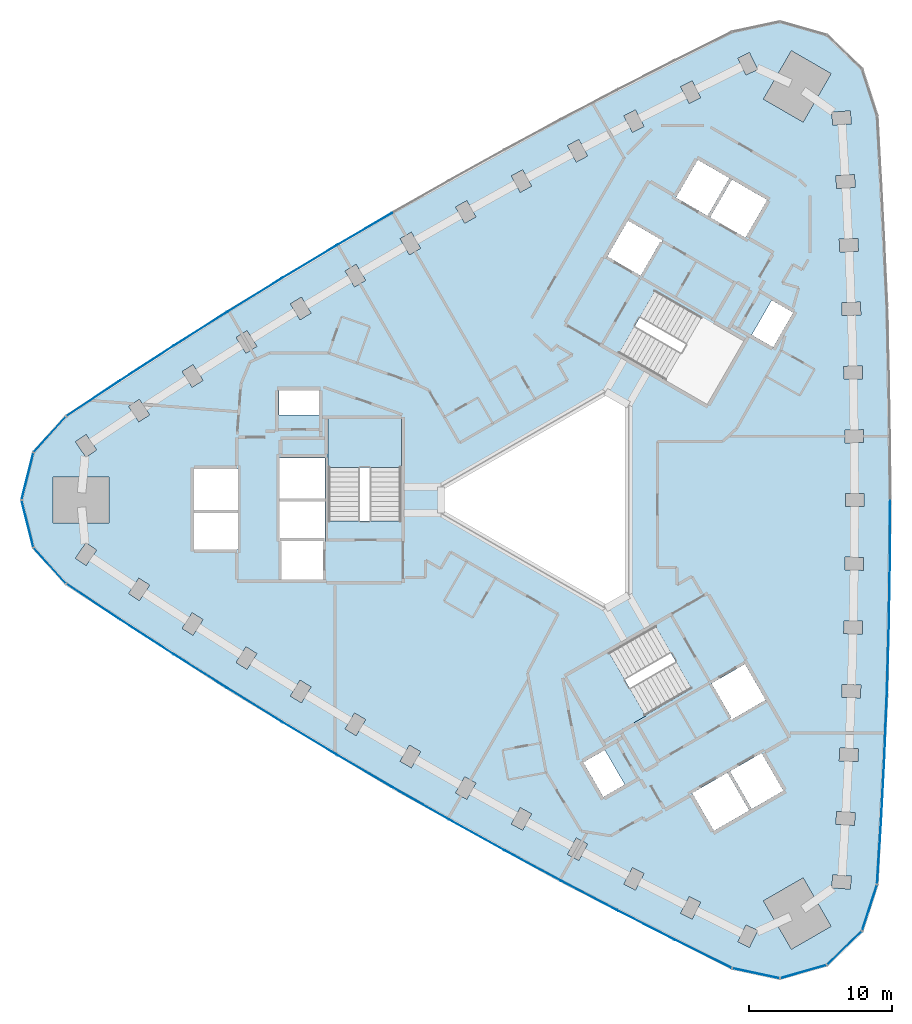
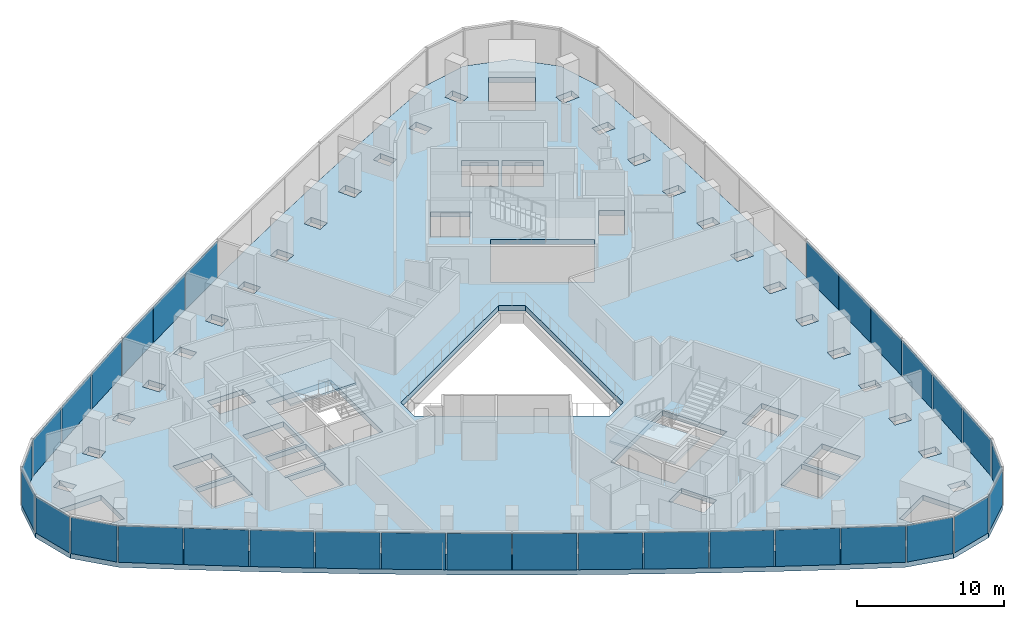
# One storey, part 6 of 12: 32 plates, 3 slabs, 5 elements without a shape of their own.
"""IFC4 building model written with IfcOpenShell, lengths in metres."""

import ifcopenshell
import ifcopenshell.guid

model = None  # the IFC model being written
_history = None  # IfcOwnerHistory: only IFC2X3 demands one
_inside = {}  # id of a spatial element -> (the spatial element, [elements in it])
_under = {}  # id of a project, library or spatial element -> (it, [spatial elements below it])
_declared = {}  # id of a project -> (the project, [libraries it declares])
_typed = {}  # id of a type object -> (the type object, [elements of that type])
_made_of = {}  # id of a material, layer set ... -> (it, [elements and type objects made of it])


def new_model(schema):
    """Start an empty IFC model of exactly this schema.

    Asked for "IFC4X3", IfcOpenShell would pick the latest addendum, in which some entities
    have other attributes; the version numbers below select the first issue.
    IFC2X3 requires an IfcOwnerHistory on every rooted entity: one is made here for all.
    """
    global model, _history
    if schema == "IFC4X3":
        model = ifcopenshell.file(schema_version=(4, 3, 0, 0))
    else:
        model = ifcopenshell.file(schema=schema)
    _inside.clear()
    _under.clear()
    _declared.clear()
    _typed.clear()
    _made_of.clear()
    _history = None
    if model.schema == "IFC2X3":
        org = make("IfcOrganization", Name="unknown")
        user = make(
            "IfcPersonAndOrganization",
            ThePerson=make("IfcPerson", FamilyName="unknown"),
            TheOrganization=org,
        )
        app = make(
            "IfcApplication",
            ApplicationDeveloper=org,
            Version="unknown",
            ApplicationFullName="unknown",
            ApplicationIdentifier="unknown",
        )
        _history = make(
            "IfcOwnerHistory",
            OwningUser=user,
            OwningApplication=app,
            ChangeAction="ADDED",
            CreationDate=0,
        )
    return model


def make(cls, **values):
    """One entity of the class cls with the attributes given. An attribute that is None is left unset."""
    return model.create_entity(
        cls, **{name: value for name, value in values.items() if value is not None}
    )


def rooted(cls, **values):
    """An entity with a GlobalId (a new one), such as an element, a storey or a relation."""
    return make(cls, GlobalId=ifcopenshell.guid.new(), OwnerHistory=_history, **values)


def si_unit(unit_type, name, prefix=None):
    """IfcSIUnit, for example si_unit("LENGTHUNIT", "METRE", prefix="MILLI")."""
    return make("IfcSIUnit", UnitType=unit_type, Prefix=prefix, Name=name)


def assignment(units):
    """IfcUnitAssignment: the units of a project."""
    return None if units is None else make("IfcUnitAssignment", Units=units)


def point(xyz):
    """IfcCartesianPoint."""
    return None if xyz is None else make("IfcCartesianPoint", Coordinates=xyz)


def direction(xyz):
    """IfcDirection."""
    return None if xyz is None else make("IfcDirection", DirectionRatios=xyz)


def frame(location, z_axis=None, x_axis=None):
    """IfcAxis2Placement3D, a coordinate frame: its origin and axes. An axis left out is left unset."""
    return make(
        "IfcAxis2Placement3D",
        Location=point(location),
        Axis=direction(z_axis),
        RefDirection=direction(x_axis),
    )


def frame_2d(location, x_axis=None):
    """IfcAxis2Placement2D, a coordinate frame in the plane: its origin and x axis."""
    return make(
        "IfcAxis2Placement2D", Location=point(location), RefDirection=direction(x_axis)
    )


def origin():
    """The frame at (0, 0, 0) with its axes left unset."""
    return frame((0.0, 0.0, 0.0))


def origin_2d():
    """The frame at (0, 0) in the plane with its x axis left unset."""
    return frame_2d((0.0, 0.0))


def place(relative_to, where):
    """IfcLocalPlacement: puts the frame where relative to a parent placement (None: the world)."""
    return make(
        "IfcLocalPlacement", PlacementRelTo=relative_to, RelativePlacement=where
    )


def context(
    kind, dimensions, precision=None, world=None, true_north=None, identifier=None
):
    """IfcGeometricRepresentationContext, for example the 3D "Model" context."""
    return make(
        "IfcGeometricRepresentationContext",
        ContextIdentifier=identifier,
        ContextType=kind,
        CoordinateSpaceDimension=dimensions,
        Precision=precision,
        WorldCoordinateSystem=world,
        TrueNorth=true_north,
    )


def subcontext(parent, identifier, kind, view, scale=None):
    """IfcGeometricRepresentationSubContext, for example "Body" below "Model"."""
    return make(
        "IfcGeometricRepresentationSubContext",
        ContextIdentifier=identifier,
        ContextType=kind,
        ParentContext=parent,
        TargetScale=scale,
        TargetView=view,
    )


def project(units=None, contexts=None):
    """IfcProject with its units and contexts."""
    return rooted(
        "IfcProject",
        Name="project",
        RepresentationContexts=contexts,
        UnitsInContext=assignment(units),
    )


def spatial(cls, under=None, at=None, **own):
    """A site, building, storey or space (cls), placed at a placement, below another one or the project."""
    s = rooted(cls, ObjectPlacement=at, **own)
    if under is not None:
        _under.setdefault(under.id(), (under, []))[1].append(s)
    return s


def polyline(points):
    """IfcPolyline through the points."""
    return make("IfcPolyline", Points=[point(p) for p in points])


def profile(cls, at=None, kind="AREA", **sizes):
    """A parametric profile (cls). Its sizes go by their IFC names, for example OverallWidth=200.0."""
    return make(cls, ProfileType=kind, Position=at, **sizes)


def rectangle(**sizes):
    """IfcRectangleProfileDef."""
    return profile("IfcRectangleProfileDef", **sizes)


def outline(outer, holes=None, kind="AREA"):
    """IfcArbitraryClosedProfileDef: a profile drawn as a closed curve; with holes, ...WithVoids."""
    if holes is None:
        return make("IfcArbitraryClosedProfileDef", ProfileType=kind, OuterCurve=outer)
    return make(
        "IfcArbitraryProfileDefWithVoids",
        ProfileType=kind,
        OuterCurve=outer,
        InnerCurves=holes,
    )


def extrude(swept, where, along, depth):
    """IfcExtrudedAreaSolid: the profile swept, set in the frame where, extruded along a direction by depth."""
    return make(
        "IfcExtrudedAreaSolid",
        SweptArea=swept,
        Position=where,
        ExtrudedDirection=direction(along),
        Depth=depth,
    )


def shape(context_of_items, identifier, shape_type, items):
    """IfcShapeRepresentation: the items that make up one representation, for example the "Body"."""
    return make(
        "IfcShapeRepresentation",
        ContextOfItems=context_of_items,
        RepresentationIdentifier=identifier,
        RepresentationType=shape_type,
        Items=items,
    )


def material(Name=None, Category=None):
    """IfcMaterial."""
    return make("IfcMaterial", Name=Name, Category=Category)


def layer(
    of_material, thickness, ventilated=None, Name=None, Category=None, Priority=None
):
    """IfcMaterialLayer: one layer of a wall or slab, of a material (None: an air gap)."""
    return make(
        "IfcMaterialLayer",
        Material=of_material,
        LayerThickness=thickness,
        IsVentilated=ventilated,
        Name=Name,
        Category=Category,
        Priority=Priority,
    )


def layer_set(layers, Name=None):
    """IfcMaterialLayerSet."""
    return make("IfcMaterialLayerSet", MaterialLayers=layers, LayerSetName=Name)


def made_of(thing, what):
    """Note that an element or type object is made of a material, layer set ...; save() writes the relation."""
    if what is not None:
        _made_of.setdefault(what.id(), (what, []))[1].append(thing)
    return thing


def type_object(cls, material=None, **own):
    """A type object (cls), such as IfcWallType, which elements share."""
    return made_of(rooted(cls, **own), material)


def element(
    cls,
    number,
    at=None,
    inside=None,
    cuts=None,
    type_object=None,
    material=None,
    context=None,
    identifier="Body",
    shape_type=None,
    held_by="IfcProductDefinitionShape",
    body=None,
    shapes=None,
    **own,
):
    """One element of the class cls, such as IfcWall. Its Tag is "e" and its number.

    at: its placement. inside: the storey or other place that contains it. cuts: it is an
    opening in that element (IfcRelVoidsElement). A single representation is given by context,
    identifier, shape_type and body (its items); several are given by shapes. held_by: the class
    of the entity that holds the representations. save() writes the other relations.
    """
    e = rooted(cls, Tag="e%d" % number, ObjectPlacement=at, **own)
    if body is not None:
        shapes = [shape(context, identifier, shape_type, body)]
    if shapes is not None:
        e.Representation = make(held_by, Representations=shapes)
    if inside is not None:
        _inside.setdefault(inside.id(), (inside, []))[1].append(e)
    if cuts is not None:
        rooted(
            "IfcRelVoidsElement", RelatingBuildingElement=cuts, RelatedOpeningElement=e
        )
    if type_object is not None:
        _typed.setdefault(type_object.id(), (type_object, []))[1].append(e)
    return made_of(e, material)


def aggregate(whole, parts):
    """IfcRelAggregates: a whole, such as a stair, and the parts it consists of."""
    return rooted("IfcRelAggregates", RelatingObject=whole, RelatedObjects=parts)


def save(model, path):
    """Write the relations noted so far, then the file.

    IfcRelAggregates (storeys below a building ...), IfcRelContainedInSpatialStructure (elements
    in a storey), IfcRelDefinesByType, IfcRelAssociatesMaterial and IfcRelDeclares: one each for
    every whole, place, type object, material and project.
    """
    for whole, parts in _under.values():
        aggregate(whole, parts)
    for where, things in _inside.values():
        rooted(
            "IfcRelContainedInSpatialStructure",
            RelatedElements=things,
            RelatingStructure=where,
        )
    for kind, things in _typed.values():
        rooted("IfcRelDefinesByType", RelatedObjects=things, RelatingType=kind)
    for what, things in _made_of.values():
        rooted("IfcRelAssociatesMaterial", RelatedObjects=things, RelatingMaterial=what)
    for by, libraries in _declared.values():
        rooted("IfcRelDeclares", RelatingContext=by, RelatedDefinitions=libraries)
    model.write(path)


model = new_model("IFC4")

# Units and contexts
model_context = context("Model", 3, precision=1e-05, world=origin(), true_north=direction((0.0, 1.0)))
body_context = subcontext(model_context, "Body", "Model", "MODEL_VIEW")
ifc_project = project(units=[si_unit("LENGTHUNIT", "METRE"), si_unit("AREAUNIT", "SQUARE_METRE"), si_unit("VOLUMEUNIT", "CUBIC_METRE"), si_unit("PLANEANGLEUNIT", "RADIAN"), si_unit("MASSUNIT", "GRAM", prefix="KILO")], contexts=[model_context])

# Site, building, storey
site_placement = place(None, origin())
site = spatial("IfcSite", under=ifc_project, at=site_placement, CompositionType="ELEMENT")
building_placement = place(site_placement, origin())
building = spatial("IfcBuilding", under=site, at=building_placement, Name="Tamra Quay Hotel Tower", CompositionType="ELEMENT")
storey_placement = place(building_placement, frame((0.0, 0.0, 104.60009765625)))
storey = spatial("IfcBuildingStorey", under=building, at=storey_placement, Name="L25", CompositionType="ELEMENT", Elevation=104.60009765625)

# Stair, slab
ifc_material_1 = material(Name="Exit stair 2200 24 risers 150.0 going 342")
stair_type = type_object("IfcStairType", Name="Exit stair 2200 24 risers 150.0 going 342", PredefinedType="HALF_TURN_STAIR", material=ifc_material_1)
stair_1_placement = place(storey_placement, origin())
stair_1 = element("IfcStair", 1, at=stair_1_placement, inside=storey, type_object=stair_type, Name="L25 Exit stair ST3", PredefinedType="HALF_TURN_STAIR")
ifc_material_2 = material(Name="Concrete M70", Category="concrete")
ifc_layer_1 = layer(ifc_material_2, 0.175048828125)
ifc_layer_set_1 = layer_set([ifc_layer_1], Name="Concrete M70 stair landing 180")
slab_type_1 = type_object("IfcSlabType", Name="Concrete M70 stair landing 180", PredefinedType="LANDING", material=ifc_layer_set_1)
slab_1_placement = place(storey_placement, frame((0.0, 0.0, 1.625)))
slab_1 = element("IfcSlab", 2, at=slab_1_placement, type_object=slab_type_1, Name="ST3 landing 1", PredefinedType="LANDING", context=body_context, shape_type="SweptSolid", body=[
    extrude(outline(polyline([(-10.932373046875, 2.261962890625), (-10.932373046875, 5.679931640625), (-16.09130859375, 5.679931640625), (-16.09130859375, 2.261962890625), (-10.932373046875, 2.261962890625)])), origin(), (0.0, 0.0, 1.0), 0.1748046875),
])
aggregate(stair_1, [slab_1])

stair_2_placement = place(storey_placement, origin())
stair_2 = element("IfcStair", 3, at=stair_2_placement, inside=storey, type_object=stair_type, Name="L25 Exit stair ST2", PredefinedType="HALF_TURN_STAIR")
slab_2_placement = place(storey_placement, frame((0.0, 0.0, 1.625)))
slab_2 = element("IfcSlab", 4, at=slab_2_placement, type_object=slab_type_1, Name="ST2 landing 1", PredefinedType="LANDING", context=body_context, shape_type="SweptSolid", body=[
    extrude(outline(polyline([(3.50732421875, -10.5986328125), (0.547119140625, -12.3076171875), (3.126708984375, -16.775390625), (6.086669921875, -15.06640625), (3.50732421875, -10.5986328125)])), origin(), (0.0, 0.0, 1.0), 0.1748046875),
])
aggregate(stair_2, [slab_2])

# Slab
ifc_material_3 = material(Name="Concrete M60", Category="concrete")
ifc_layer_2 = layer(ifc_material_3, 0.425048828125)
ifc_layer_set_2 = layer_set([ifc_layer_2], Name="FLOOR SLAB PT 425")
slab_type_2 = type_object("IfcSlabType", Name="FLOOR SLAB PT 425", PredefinedType="FLOOR", material=ifc_layer_set_2)
slab_3_placement = place(storey_placement, frame((0.0, 0.0, -0.425048828125)))
element("IfcSlab", 5, at=slab_3_placement, inside=storey, type_object=slab_type_2, Name="SLAB-L25", PredefinedType="FLOOR", context=body_context, shape_type="SweptSolid", body=[
    extrude(outline(polyline([(22.506591796875, 22.354248046875), (22.736083984375, 17.886962890625), (22.914794921875, 13.417236328125), (23.04248046875, 8.94580078125), (23.119140625, 4.47314453125), (23.144775390625, 0.0), (23.119140625, -4.47314453125), (23.04248046875, -8.94580078125), (22.914794921875, -13.417236328125), (22.736083984375, -17.886962890625), (22.506591796875, -22.354248046875), (22.226318359375, -26.81787109375), (21.1767578125, -30.062255859375), (18.724609375, -32.43212890625), (15.4462890625, -33.370849609375), (12.11181640625, -32.657470703125), (8.10595703125, -30.66845703125), (4.122314453125, -28.633544921875), (0.162109375, -26.553466796875), (-3.77392578125, -24.42822265625), (-7.685791015625, -22.25830078125), (-11.572509765625, -20.0439453125), (-15.43359375, -17.78515625), (-19.2685546875, -15.482666015625), (-23.0771484375, -13.13623046875), (-26.858642578125, -10.74658203125), (-30.612548828125, -8.314208984375), (-34.337890625, -5.839599609375), (-36.623046875, -3.308349609375), (-37.449462890625, 0.0), (-36.623046875, 3.308349609375), (-34.337890625, 5.839599609375), (-30.612548828125, 8.314208984375), (-26.858642578125, 10.74658203125), (-23.0771484375, 13.13623046875), (-19.2685546875, 15.482666015625), (-15.43359375, 17.78515625), (-11.572509765625, 20.0439453125), (-7.685791015625, 22.25830078125), (-3.77392578125, 24.42822265625), (0.162109375, 26.553466796875), (4.122314453125, 28.633544921875), (8.10595703125, 30.66845703125), (12.11181640625, 32.657470703125), (15.4462890625, 33.370849609375), (18.724609375, 32.43212890625), (21.1767578125, 30.062255859375), (22.226318359375, 26.81787109375), (22.506591796875, 22.354248046875)]), holes=[polyline([(-14.884521484375, -15.9765625), (-14.1103515625, -16.435302734375), (-13.447509765625, -15.317138671875), (-14.2216796875, -14.858154296875), (-14.884521484375, -15.9765625)]), polyline([(-18.0234375, -12.569580078125), (-18.698974609375, -13.680419921875), (-17.929931640625, -14.14794921875), (-17.25439453125, -13.037353515625), (-18.0234375, -12.569580078125)]), polyline([(-21.798583984375, -10.23779296875), (-22.487060546875, -11.340576171875), (-21.723388671875, -11.817138671875), (-21.03515625, -10.714111328125), (-21.798583984375, -10.23779296875)]), polyline([(-25.547119140625, -7.86279296875), (-26.248046875, -8.9580078125), (-25.489990234375, -9.443115234375), (-24.789306640625, -8.34814453125), (-25.547119140625, -7.86279296875)]), polyline([(-29.268310546875, -5.445556640625), (-29.981689453125, -6.532470703125), (-29.229248046875, -7.026123046875), (-28.51611328125, -5.939453125), (-29.268310546875, -5.445556640625)]), polyline([(-16.3173828125, -2.85498046875), (-19.4072265625, -2.85498046875), (-19.4072265625, -2.89306640625), (-19.307373046875, -2.89306640625), (-19.307373046875, -5.544921875), (-16.417236328125, -5.544921875), (-16.417236328125, -2.89306640625), (-16.3173828125, -2.89306640625), (-16.3173828125, -2.85498046875)]), polyline([(-32.96240234375, -2.986083984375), (-33.6875, -4.06494140625), (-32.9404296875, -4.56689453125), (-32.215576171875, -3.488037109375), (-32.96240234375, -2.986083984375)]), polyline([(-22.3671875, -3.445068359375), (-22.3671875, -0.905029296875), (-25.4072265625, -0.905029296875), (-25.4072265625, -3.445068359375), (-22.3671875, -3.445068359375)]), polyline([(-19.417236328125, -2.89306640625), (-19.417236328125, -2.64501953125), (-16.307373046875, -2.64501953125), (-16.307373046875, -2.89306640625), (-16.26708984375, -2.89306640625), (-16.26708984375, -0.10498046875), (-19.45751953125, -0.10498046875), (-19.45751953125, -2.89306640625), (-19.417236328125, -2.89306640625)]), polyline([(-31.36376953125, 1.60009765625), (-35.263671875, 1.60009765625), (-35.263671875, -1.60009765625), (-31.36376953125, -1.60009765625), (-31.36376953125, 1.60009765625)]), polyline([(-25.4072265625, -0.695068359375), (-22.3671875, -0.695068359375), (-22.3671875, 2.14501953125), (-25.4072265625, 2.14501953125), (-25.4072265625, -0.695068359375)]), polyline([(-19.45751953125, 0.10498046875), (-16.26708984375, 0.10498046875), (-16.26708984375, 2.945068359375), (-19.45751953125, 2.945068359375), (-19.45751953125, 0.10498046875)]), polyline([(-16.036376953125, -1.455078125), (-10.9873046875, -1.455078125), (-10.9873046875, 5.625), (-16.036376953125, 5.625), (-16.036376953125, -1.455078125)]), polyline([(-32.215576171875, 3.488037109375), (-32.9404296875, 4.56689453125), (-33.6875, 4.06494140625), (-32.96240234375, 2.986083984375), (-32.215576171875, 3.488037109375)]), polyline([(-28.51611328125, 5.939453125), (-29.229248046875, 7.026123046875), (-29.981689453125, 6.532470703125), (-29.268310546875, 5.445556640625), (-28.51611328125, 5.939453125)]), polyline([(-19.50732421875, 7.64501953125), (-19.50732421875, 5.9150390625), (-16.71728515625, 5.9150390625), (-16.71728515625, 7.64501953125), (-19.50732421875, 7.64501953125)]), polyline([(-24.789306640625, 8.34814453125), (-25.489990234375, 9.443115234375), (-26.248046875, 8.9580078125), (-25.547119140625, 7.86279296875), (-24.789306640625, 8.34814453125)]), polyline([(-21.03515625, 10.714111328125), (-21.723388671875, 11.817138671875), (-22.487060546875, 11.340576171875), (-21.798583984375, 10.23779296875), (-21.03515625, 10.714111328125)]), polyline([(-17.25439453125, 13.037353515625), (-17.929931640625, 14.14794921875), (-18.698974609375, 13.680419921875), (-18.0234375, 12.569580078125), (-17.25439453125, 13.037353515625)]), polyline([(-13.447509765625, 15.317138671875), (-14.1103515625, 16.435302734375), (-14.884521484375, 15.9765625), (-14.2216796875, 14.858154296875), (-13.447509765625, 15.317138671875)]), polyline([(9.1142578125, -27.665283203125), (8.52978515625, -28.826416015625), (9.33349609375, -29.231201171875), (9.918212890625, -28.070068359375), (9.1142578125, -27.665283203125)]), polyline([(5.164794921875, -25.64208984375), (4.567138671875, -26.79638671875), (5.3662109375, -27.210205078125), (5.964111328125, -26.055908203125), (5.164794921875, -25.64208984375)]), polyline([(1.23876953125, -23.57421875), (0.627685546875, -24.721435546875), (1.422119140625, -25.14453125), (2.033203125, -23.9970703125), (1.23876953125, -23.57421875)]), polyline([(-2.663330078125, -21.46142578125), (-3.28759765625, -22.601806640625), (-2.498046875, -23.033935546875), (-1.873779296875, -21.8935546875), (-2.663330078125, -21.46142578125)]), polyline([(13.3056640625, -21.65576171875), (11.78564453125, -19.02294921875), (9.325927734375, -20.443115234375), (10.845947265625, -23.075927734375), (13.3056640625, -21.65576171875)]), polyline([(-6.541259765625, -19.304443359375), (-7.17822265625, -20.437744140625), (-6.393798828125, -20.878662109375), (-5.756591796875, -19.74560546875), (-6.541259765625, -19.304443359375)]), polyline([(1.73779296875, -18.300048828125), (3.1328125, -20.71630859375), (4.631103515625, -19.851318359375), (3.236083984375, -17.43505859375), (1.73779296875, -18.300048828125)]), polyline([(-10.394287109375, -17.103271484375), (-11.044189453125, -18.22900390625), (-10.264892578125, -18.67919921875), (-9.61474609375, -17.55322265625), (-10.394287109375, -17.103271484375)]), polyline([(10.68115234375, -12.790283203125), (12.05615234375, -15.171875), (11.969482421875, -15.2216796875), (12.03955078125, -15.343017578125), (14.455810546875, -13.947998046875), (13.0107421875, -11.4453125), (10.68115234375, -12.790283203125)]), polyline([(9.2783203125, -13.160400390625), (6.75390625, -8.78759765625), (0.622314453125, -12.32763671875), (3.146728515625, -16.7001953125), (9.2783203125, -13.160400390625)]), polyline([(-8.199951171875, 0.923828125), (-8.199951171875, -0.923828125), (3.300048828125, -7.563232421875), (4.89990234375, -6.639404296875), (4.89990234375, 6.639404296875), (3.300048828125, 7.563232421875), (-8.199951171875, 0.923828125)]), polyline([(6.758056640625, 14.615478515625), (4.2333984375, 10.242919921875), (10.364990234375, 6.702880859375), (12.889404296875, 11.075439453125), (6.758056640625, 14.615478515625)]), polyline([(5.736083984375, 15.645263671875), (7.111083984375, 18.02685546875), (7.19775390625, 17.976806640625), (7.267578125, 18.09814453125), (4.8515625, 19.4931640625), (3.406494140625, 16.990234375), (5.736083984375, 15.645263671875)]), polyline([(-9.61474609375, 17.55322265625), (-10.264892578125, 18.67919921875), (-11.044189453125, 18.22900390625), (-10.394287109375, 17.103271484375), (-9.61474609375, 17.55322265625)]), polyline([(-5.756591796875, 19.74560546875), (-6.393798828125, 20.878662109375), (-7.17822265625, 20.437744140625), (-6.541259765625, 19.304443359375), (-5.756591796875, 19.74560546875)]), polyline([(8.2001953125, 21.093017578125), (10.39990234375, 19.822998046875), (11.919921875, 22.455810546875), (9.72021484375, 23.725830078125), (8.2001953125, 21.093017578125)]), polyline([(-1.873779296875, 21.8935546875), (-2.498046875, 23.033935546875), (-3.28759765625, 22.601806640625), (-2.663330078125, 21.46142578125), (-1.873779296875, 21.8935546875)]), polyline([(2.033203125, 23.9970703125), (1.422119140625, 25.14453125), (0.627685546875, 24.721435546875), (1.23876953125, 23.57421875), (2.033203125, 23.9970703125)]), polyline([(5.964111328125, 26.055908203125), (5.3662109375, 27.210205078125), (4.567138671875, 26.79638671875), (5.164794921875, 25.64208984375), (5.964111328125, 26.055908203125)]), polyline([(9.918212890625, 28.070068359375), (9.33349609375, 29.231201171875), (8.52978515625, 28.826416015625), (9.1142578125, 27.665283203125), (9.918212890625, 28.070068359375)]), polyline([(13.0869140625, -29.643310546875), (12.51513671875, -30.810791015625), (13.323486328125, -31.206787109375), (13.895263671875, -30.039306640625), (13.0869140625, -29.643310546875)]), polyline([(14.296142578125, -27.9619140625), (16.24609375, -31.339111328125), (19.017333984375, -29.7392578125), (17.0673828125, -26.36181640625), (14.296142578125, -27.9619140625)]), polyline([(19.067138671875, -27.05322265625), (20.3642578125, -27.141845703125), (20.42529296875, -26.243896484375), (19.12841796875, -26.155517578125), (19.067138671875, -27.05322265625)]), polyline([(19.350341796875, -22.624267578125), (20.648193359375, -22.698486328125), (20.699462890625, -21.800048828125), (19.401611328125, -21.725830078125), (19.350341796875, -22.624267578125)]), polyline([(14.1669921875, -17.648193359375), (11.96728515625, -18.91796875), (13.487548828125, -21.55078125), (15.68701171875, -20.281005859375), (14.1669921875, -17.648193359375)]), polyline([(20.8818359375, -18.25244140625), (20.9228515625, -17.353515625), (19.624267578125, -17.2939453125), (19.5830078125, -18.193115234375), (20.8818359375, -18.25244140625)]), polyline([(19.765380859375, -13.75927734375), (21.064697265625, -13.803955078125), (21.095703125, -12.904541015625), (19.79638671875, -12.85986328125), (19.765380859375, -13.75927734375)]), polyline([(19.897216796875, -9.323974609375), (21.197021484375, -9.353759765625), (21.217529296875, -8.453857421875), (19.91796875, -8.424072265625), (19.897216796875, -9.323974609375)]), polyline([(19.978515625, -4.88720703125), (21.2783203125, -4.902099609375), (21.288818359375, -4.002197265625), (19.98876953125, -3.9873046875), (19.978515625, -4.88720703125)]), polyline([(20.009033203125, -0.449951171875), (21.30908203125, -0.449951171875), (21.30908203125, 0.449951171875), (20.009033203125, 0.449951171875), (20.009033203125, -0.449951171875)]), polyline([(19.98876953125, 3.9873046875), (21.288818359375, 4.002197265625), (21.2783203125, 4.902099609375), (19.978515625, 4.88720703125), (19.98876953125, 3.9873046875)]), polyline([(19.91796875, 8.424072265625), (21.217529296875, 8.453857421875), (21.197021484375, 9.353759765625), (19.897216796875, 9.323974609375), (19.91796875, 8.424072265625)]), polyline([(14.9794921875, 10.655029296875), (16.37451171875, 13.0712890625), (14.876220703125, 13.936279296875), (13.481201171875, 11.52001953125), (14.9794921875, 10.655029296875)]), polyline([(19.79638671875, 12.85986328125), (21.095703125, 12.904541015625), (21.064697265625, 13.803955078125), (19.765380859375, 13.75927734375), (19.79638671875, 12.85986328125)]), polyline([(19.624267578125, 17.2939453125), (20.9228515625, 17.353515625), (20.8818359375, 18.25244140625), (19.5830078125, 18.193115234375), (19.624267578125, 17.2939453125)]), polyline([(12.101806640625, 22.350830078125), (10.58154296875, 19.718017578125), (13.041259765625, 18.298095703125), (14.561279296875, 20.930908203125), (12.101806640625, 22.350830078125)]), polyline([(19.401611328125, 21.725830078125), (20.699462890625, 21.800048828125), (20.648193359375, 22.698486328125), (19.350341796875, 22.624267578125), (19.401611328125, 21.725830078125)]), polyline([(19.12841796875, 26.155517578125), (20.42529296875, 26.243896484375), (20.3642578125, 27.141845703125), (19.067138671875, 27.05322265625), (19.12841796875, 26.155517578125)]), polyline([(17.0673828125, 26.36181640625), (19.017333984375, 29.7392578125), (16.24609375, 31.339111328125), (14.296142578125, 27.9619140625), (17.0673828125, 26.36181640625)]), polyline([(13.895263671875, 30.039306640625), (13.323486328125, 31.206787109375), (12.51513671875, 30.810791015625), (13.0869140625, 29.643310546875), (13.895263671875, 30.039306640625)])]), origin(), (0.0, 0.0, 1.0), 0.425048828125),
])

# Curtain wall, plates
ifc_material_4 = material(Name="Aluminium 6063 anodised dark grey", Category="aluminium")
curtain_wall_type_1 = type_object("IfcCurtainWallType", Name="CW1 CURTAIN WALL", PredefinedType="NOTDEFINED", material=ifc_material_4)
curtain_wall_1_placement = place(storey_placement, origin())
curtain_wall_1 = element("IfcCurtainWall", 6, at=curtain_wall_1_placement, inside=storey, type_object=curtain_wall_type_1, Name="CW1 east face L25", PredefinedType="NOTDEFINED")
ifc_material_5 = material(Name="Glass clear laminated low-iron", Category="glass")
ifc_layer_3 = layer(ifc_material_5, 0.033935546875)
ifc_layer_set_3 = layer_set([ifc_layer_3], Name="GLASS PANEL CW1 Z2")
plate_type_1 = type_object("IfcPlateType", Name="GLASS PANEL CW1 Z2", PredefinedType="CURTAIN_PANEL", material=ifc_layer_set_3)
plate_1_placement = place(storey_placement, frame((22.366455078125, -24.5859375, 0.0), z_axis=(0.0, 0.0, 1.0), x_axis=(0.062669917068, 0.998034308776, 0.0)))
plate_1 = element("IfcPlate", 7, at=plate_1_placement, type_object=plate_type_1, Name="CW1 glass L25.E.1", PredefinedType="CURTAIN_PANEL", context=body_context, shape_type="SweptSolid", body=[
    extrude(rectangle(XDim=4.372314453125, YDim=0.033935546875, at=origin_2d()), origin(), (0.0, 0.0, 1.0), 3.034912109375),
])
plate_2_placement = place(storey_placement, frame((22.621337890625, -20.12060546875, 0.0), z_axis=(0.0, 0.0, 1.0), x_axis=(0.051320736558, 0.998682222731, 0.0)))
plate_2 = element("IfcPlate", 8, at=plate_2_placement, type_object=plate_type_1, Name="CW1 glass L25.E.2", PredefinedType="CURTAIN_PANEL", context=body_context, shape_type="SweptSolid", body=[
    extrude(rectangle(XDim=4.373291015625, YDim=0.033935546875, at=origin_2d()), origin(), (0.0, 0.0, 1.0), 3.034912109375),
])
plate_3_placement = place(storey_placement, frame((22.825439453125, -15.652099609375, 0.0), z_axis=(0.0, 0.0, 1.0), x_axis=(0.039943885581, 0.99920192454, 0.0)))
plate_3 = element("IfcPlate", 9, at=plate_3_placement, type_object=plate_type_1, Name="CW1 glass L25.E.3", PredefinedType="CURTAIN_PANEL", context=body_context, shape_type="SweptSolid", body=[
    extrude(rectangle(XDim=4.373291015625, YDim=0.033935546875, at=origin_2d()), origin(), (0.0, 0.0, 1.0), 3.034912109375),
])
plate_4_placement = place(storey_placement, frame((22.978759765625, -11.181396484375, 0.0), z_axis=(0.0, 0.0, 1.0), x_axis=(0.028546324212, 0.999592470647, 0.0)))
plate_4 = element("IfcPlate", 10, at=plate_4_placement, type_object=plate_type_1, Name="CW1 glass L25.E.4", PredefinedType="CURTAIN_PANEL", context=body_context, shape_type="SweptSolid", body=[
    extrude(rectangle(XDim=4.373291015625, YDim=0.033935546875, at=origin_2d()), origin(), (0.0, 0.0, 1.0), 3.034912109375),
])
plate_5_placement = place(storey_placement, frame((23.080810546875, -6.70947265625, 0.0), z_axis=(0.0, 0.0, 1.0), x_axis=(0.017133948461, 0.99985320313, 0.0)))
plate_5 = element("IfcPlate", 11, at=plate_5_placement, type_object=plate_type_1, Name="CW1 glass L25.E.5", PredefinedType="CURTAIN_PANEL", context=body_context, shape_type="SweptSolid", body=[
    extrude(rectangle(XDim=4.373291015625, YDim=0.033935546875, at=origin_2d()), origin(), (0.0, 0.0, 1.0), 3.034912109375),
])
plate_6_placement = place(storey_placement, frame((23.132080078125, -2.236572265625, 0.0), z_axis=(0.0, 0.0, 1.0), x_axis=(0.00571269185, 0.999983682443, 0.0)))
plate_6 = element("IfcPlate", 12, at=plate_6_placement, type_object=plate_type_1, Name="CW1 glass L25.E.6", PredefinedType="CURTAIN_PANEL", context=body_context, shape_type="SweptSolid", body=[
    extrude(rectangle(XDim=4.373291015625, YDim=0.033935546875, at=origin_2d()), origin(), (0.0, 0.0, 1.0), 3.034912109375),
])
aggregate(curtain_wall_1, [plate_1, plate_2, plate_3, plate_4, plate_5, plate_6])

curtain_wall_type_2 = type_object("IfcCurtainWallType", Name="CW2 CURTAIN WALL", PredefinedType="NOTDEFINED", material=ifc_material_4)
curtain_wall_2_placement = place(storey_placement, origin())
curtain_wall_2 = element("IfcCurtainWall", 13, at=curtain_wall_2_placement, inside=storey, type_object=curtain_wall_type_2, Name="CW2 north-west face L25", PredefinedType="NOTDEFINED")
ifc_layer_4 = layer(ifc_material_5, 0.033935546875)
ifc_layer_set_4 = layer_set([ifc_layer_4], Name="GLASS PANEL CW2 Z2")
plate_type_2 = type_object("IfcPlateType", Name="GLASS PANEL CW2 Z2", PredefinedType="CURTAIN_PANEL", material=ifc_layer_set_4)
plate_7_placement = place(storey_placement, frame((-13.5029296875, 18.91455078125, 0.0), z_axis=(0.0, 0.0, 1.0), x_axis=(-0.86315492644, -0.504939177488, 0.0)))
plate_7 = element("IfcPlate", 14, at=plate_7_placement, type_object=plate_type_2, Name="CW2 glass L25.NW.7", PredefinedType="CURTAIN_PANEL", context=body_context, shape_type="SweptSolid", body=[
    extrude(rectangle(XDim=4.373291015625, YDim=0.033935546875, at=origin_2d()), origin(), (0.0, 0.0, 1.0), 3.034912109375),
])
plate_8_placement = place(storey_placement, frame((-17.35107421875, 16.6337890625, 0.0), z_axis=(0.0, 0.0, 1.0), x_axis=(-0.857331299736, -0.5147650362, 0.0)))
plate_8 = element("IfcPlate", 15, at=plate_8_placement, type_object=plate_type_2, Name="CW2 glass L25.NW.8", PredefinedType="CURTAIN_PANEL", context=body_context, shape_type="SweptSolid", body=[
    extrude(rectangle(XDim=4.373291015625, YDim=0.033935546875, at=origin_2d()), origin(), (0.0, 0.0, 1.0), 3.034912109375),
])
plate_9_placement = place(storey_placement, frame((-21.1728515625, 14.309326171875, 0.0), z_axis=(0.0, 0.0, 1.0), x_axis=(-0.851399310906, -0.524518077276, 0.0)))
plate_9 = element("IfcPlate", 16, at=plate_9_placement, type_object=plate_type_2, Name="CW2 glass L25.NW.9", PredefinedType="CURTAIN_PANEL", context=body_context, shape_type="SweptSolid", body=[
    extrude(rectangle(XDim=4.373291015625, YDim=0.033935546875, at=origin_2d()), origin(), (0.0, 0.0, 1.0), 3.034912109375),
])
plate_10_placement = place(storey_placement, frame((-24.9677734375, 11.94140625, 0.0), z_axis=(0.0, 0.0, 1.0), x_axis=(-0.845362307372, -0.534193381909, 0.0)))
plate_10 = element("IfcPlate", 17, at=plate_10_placement, type_object=plate_type_2, Name="CW2 glass L25.NW.10", PredefinedType="CURTAIN_PANEL", context=body_context, shape_type="SweptSolid", body=[
    extrude(rectangle(XDim=4.373291015625, YDim=0.033935546875, at=origin_2d()), origin(), (0.0, 0.0, 1.0), 3.034912109375),
])
plate_11_placement = place(storey_placement, frame((-28.735595703125, 9.530517578125, 0.0), z_axis=(0.0, 0.0, 1.0), x_axis=(-0.839223806914, -0.543786172966, 0.0)))
plate_11 = element("IfcPlate", 18, at=plate_11_placement, type_object=plate_type_2, Name="CW2 glass L25.NW.11", PredefinedType="CURTAIN_PANEL", context=body_context, shape_type="SweptSolid", body=[
    extrude(rectangle(XDim=4.373291015625, YDim=0.033935546875, at=origin_2d()), origin(), (0.0, 0.0, 1.0), 3.034912109375),
])
plate_12_placement = place(storey_placement, frame((-32.475341796875, 7.076904296875, 0.0), z_axis=(0.0, 0.0, 1.0), x_axis=(-0.832988106715, -0.553290894622, 0.0)))
plate_12 = element("IfcPlate", 19, at=plate_12_placement, type_object=plate_type_2, Name="CW2 glass L25.NW.12", PredefinedType="CURTAIN_PANEL", context=body_context, shape_type="SweptSolid", body=[
    extrude(rectangle(XDim=4.372314453125, YDim=0.033935546875, at=origin_2d()), origin(), (0.0, 0.0, 1.0), 3.034912109375),
])
plate_13_placement = place(storey_placement, frame((-35.48046875, 4.573974609375, 0.0), z_axis=(0.0, 0.0, 1.0), x_axis=(-0.670087934649, -0.742281725383, 0.0)))
plate_13 = element("IfcPlate", 20, at=plate_13_placement, type_object=plate_type_2, Name="CW2 glass L25.NW.13", PredefinedType="CURTAIN_PANEL", context=body_context, shape_type="SweptSolid", body=[
    extrude(rectangle(XDim=3.31005859375, YDim=0.033935546875, at=origin_2d()), origin(), (0.0, 0.0, 1.0), 3.034912109375),
])
plate_14_placement = place(storey_placement, frame((-37.036376953125, 1.654296875, 0.0), z_axis=(0.0, 0.0, 1.0), x_axis=(-0.242338764242, -0.970191694123, 0.0)))
plate_14 = element("IfcPlate", 21, at=plate_14_placement, type_object=plate_type_2, Name="CW2 glass L25.NW.14", PredefinedType="CURTAIN_PANEL", context=body_context, shape_type="SweptSolid", body=[
    extrude(rectangle(XDim=3.31005859375, YDim=0.033935546875, at=origin_2d()), origin(), (0.0, 0.0, 1.0), 3.034912109375),
])
plate_15_placement = place(storey_placement, frame((-37.036376953125, -1.654296875, 0.0), z_axis=(0.0, 0.0, 1.0), x_axis=(0.242338764242, -0.970191694123, 0.0)))
plate_15 = element("IfcPlate", 22, at=plate_15_placement, type_object=plate_type_2, Name="CW2 glass L25.NW.15", PredefinedType="CURTAIN_PANEL", context=body_context, shape_type="SweptSolid", body=[
    extrude(rectangle(XDim=3.31005859375, YDim=0.033935546875, at=origin_2d()), origin(), (0.0, 0.0, 1.0), 3.034912109375),
])
plate_16_placement = place(storey_placement, frame((-35.48046875, -4.573974609375, 0.0), z_axis=(0.0, 0.0, 1.0), x_axis=(0.670087934649, -0.742281725383, 0.0)))
plate_16 = element("IfcPlate", 23, at=plate_16_placement, type_object=plate_type_2, Name="CW2 glass L25.NW.16", PredefinedType="CURTAIN_PANEL", context=body_context, shape_type="SweptSolid", body=[
    extrude(rectangle(XDim=3.31005859375, YDim=0.033935546875, at=origin_2d()), origin(), (0.0, 0.0, 1.0), 3.034912109375),
])
aggregate(curtain_wall_2, [plate_7, plate_8, plate_9, plate_10, plate_11, plate_12, plate_13, plate_14, plate_15, plate_16])

curtain_wall_type_3 = type_object("IfcCurtainWallType", Name="CW3 CURTAIN WALL", PredefinedType="NOTDEFINED", material=ifc_material_4)
curtain_wall_3_placement = place(storey_placement, origin())
curtain_wall_3 = element("IfcCurtainWall", 24, at=curtain_wall_3_placement, inside=storey, type_object=curtain_wall_type_3, Name="CW3 south-west face L25", PredefinedType="NOTDEFINED")
ifc_layer_5 = layer(ifc_material_5, 0.033935546875)
ifc_layer_set_5 = layer_set([ifc_layer_5], Name="GLASS PANEL CW3 Z2")
plate_type_3 = type_object("IfcPlateType", Name="GLASS PANEL CW3 Z2", PredefinedType="CURTAIN_PANEL", material=ifc_layer_set_5)
plate_17_placement = place(storey_placement, frame((-32.475341796875, -7.076904296875, 0.0), z_axis=(0.0, 0.0, 1.0), x_axis=(0.832988106715, -0.553290894622, 0.0)))
plate_17 = element("IfcPlate", 25, at=plate_17_placement, type_object=plate_type_3, Name="CW3 glass L25.SW.1", PredefinedType="CURTAIN_PANEL", context=body_context, shape_type="SweptSolid", body=[
    extrude(rectangle(XDim=4.372314453125, YDim=0.033935546875, at=origin_2d()), origin(), (0.0, 0.0, 1.0), 3.034912109375),
])
plate_18_placement = place(storey_placement, frame((-28.735595703125, -9.530517578125, 0.0), z_axis=(0.0, 0.0, 1.0), x_axis=(0.839223806914, -0.543786172966, 0.0)))
plate_18 = element("IfcPlate", 26, at=plate_18_placement, type_object=plate_type_3, Name="CW3 glass L25.SW.2", PredefinedType="CURTAIN_PANEL", context=body_context, shape_type="SweptSolid", body=[
    extrude(rectangle(XDim=4.373291015625, YDim=0.033935546875, at=origin_2d()), origin(), (0.0, 0.0, 1.0), 3.034912109375),
])
plate_19_placement = place(storey_placement, frame((-24.9677734375, -11.94140625, 0.0), z_axis=(0.0, 0.0, 1.0), x_axis=(0.845362307372, -0.534193381909, 0.0)))
plate_19 = element("IfcPlate", 27, at=plate_19_placement, type_object=plate_type_3, Name="CW3 glass L25.SW.3", PredefinedType="CURTAIN_PANEL", context=body_context, shape_type="SweptSolid", body=[
    extrude(rectangle(XDim=4.373291015625, YDim=0.033935546875, at=origin_2d()), origin(), (0.0, 0.0, 1.0), 3.034912109375),
])
plate_20_placement = place(storey_placement, frame((-21.1728515625, -14.309326171875, 0.0), z_axis=(0.0, 0.0, 1.0), x_axis=(0.851399310906, -0.524518077276, 0.0)))
plate_20 = element("IfcPlate", 28, at=plate_20_placement, type_object=plate_type_3, Name="CW3 glass L25.SW.4", PredefinedType="CURTAIN_PANEL", context=body_context, shape_type="SweptSolid", body=[
    extrude(rectangle(XDim=4.373291015625, YDim=0.033935546875, at=origin_2d()), origin(), (0.0, 0.0, 1.0), 3.034912109375),
])
plate_21_placement = place(storey_placement, frame((-17.35107421875, -16.6337890625, 0.0), z_axis=(0.0, 0.0, 1.0), x_axis=(0.857331299736, -0.5147650362, 0.0)))
plate_21 = element("IfcPlate", 29, at=plate_21_placement, type_object=plate_type_3, Name="CW3 glass L25.SW.5", PredefinedType="CURTAIN_PANEL", context=body_context, shape_type="SweptSolid", body=[
    extrude(rectangle(XDim=4.373291015625, YDim=0.033935546875, at=origin_2d()), origin(), (0.0, 0.0, 1.0), 3.034912109375),
])
plate_22_placement = place(storey_placement, frame((-13.5029296875, -18.91455078125, 0.0), z_axis=(0.0, 0.0, 1.0), x_axis=(0.86315492644, -0.504939177488, 0.0)))
plate_22 = element("IfcPlate", 30, at=plate_22_placement, type_object=plate_type_3, Name="CW3 glass L25.SW.6", PredefinedType="CURTAIN_PANEL", context=body_context, shape_type="SweptSolid", body=[
    extrude(rectangle(XDim=4.373291015625, YDim=0.033935546875, at=origin_2d()), origin(), (0.0, 0.0, 1.0), 3.034912109375),
])
plate_23_placement = place(storey_placement, frame((-9.629150390625, -21.151123046875, 0.0), z_axis=(0.0, 0.0, 1.0), x_axis=(0.86886761829, -0.495044504955, 0.0)))
plate_23 = element("IfcPlate", 31, at=plate_23_placement, type_object=plate_type_3, Name="CW3 glass L25.SW.7", PredefinedType="CURTAIN_PANEL", context=body_context, shape_type="SweptSolid", body=[
    extrude(rectangle(XDim=4.373291015625, YDim=0.033935546875, at=origin_2d()), origin(), (0.0, 0.0, 1.0), 3.034912109375),
])
plate_24_placement = place(storey_placement, frame((-5.729736328125, -23.34326171875, 0.0), z_axis=(0.0, 0.0, 1.0), x_axis=(0.874465248197, -0.485088166931, 0.0)))
plate_24 = element("IfcPlate", 32, at=plate_24_placement, type_object=plate_type_3, Name="CW3 glass L25.SW.8", PredefinedType="CURTAIN_PANEL", context=body_context, shape_type="SweptSolid", body=[
    extrude(rectangle(XDim=4.373291015625, YDim=0.033935546875, at=origin_2d()), origin(), (0.0, 0.0, 1.0), 3.034912109375),
])
plate_25_placement = place(storey_placement, frame((-1.805908203125, -25.490966796875, 0.0), z_axis=(0.0, 0.0, 1.0), x_axis=(0.879945635118, -0.475074393371, 0.0)))
plate_25 = element("IfcPlate", 33, at=plate_25_placement, type_object=plate_type_3, Name="CW3 glass L25.SW.9", PredefinedType="CURTAIN_PANEL", context=body_context, shape_type="SweptSolid", body=[
    extrude(rectangle(XDim=4.373291015625, YDim=0.033935546875, at=origin_2d()), origin(), (0.0, 0.0, 1.0), 3.034912109375),
])
plate_26_placement = place(storey_placement, frame((2.142333984375, -27.593505859375, 0.0), z_axis=(0.0, 0.0, 1.0), x_axis=(0.885306192952, -0.465008542631, 0.0)))
plate_26 = element("IfcPlate", 34, at=plate_26_placement, type_object=plate_type_3, Name="CW3 glass L25.SW.10", PredefinedType="CURTAIN_PANEL", context=body_context, shape_type="SweptSolid", body=[
    extrude(rectangle(XDim=4.373291015625, YDim=0.033935546875, at=origin_2d()), origin(), (0.0, 0.0, 1.0), 3.034912109375),
])
plate_27_placement = place(storey_placement, frame((6.1142578125, -29.65087890625, 0.0), z_axis=(0.0, 0.0, 1.0), x_axis=(0.890544543472, -0.454896049765, 0.0)))
plate_27 = element("IfcPlate", 35, at=plate_27_placement, type_object=plate_type_3, Name="CW3 glass L25.SW.11", PredefinedType="CURTAIN_PANEL", context=body_context, shape_type="SweptSolid", body=[
    extrude(rectangle(XDim=4.373291015625, YDim=0.033935546875, at=origin_2d()), origin(), (0.0, 0.0, 1.0), 3.034912109375),
])
plate_28_placement = place(storey_placement, frame((10.10888671875, -31.662841796875, 0.0), z_axis=(0.0, 0.0, 1.0), x_axis=(0.895658023783, -0.444743414154, 0.0)))
plate_28 = element("IfcPlate", 36, at=plate_28_placement, type_object=plate_type_3, Name="CW3 glass L25.SW.12", PredefinedType="CURTAIN_PANEL", context=body_context, shape_type="SweptSolid", body=[
    extrude(rectangle(XDim=4.372314453125, YDim=0.033935546875, at=origin_2d()), origin(), (0.0, 0.0, 1.0), 3.034912109375),
])
plate_29_placement = place(storey_placement, frame((13.779052734375, -33.01416015625, 0.0), z_axis=(0.0, 0.0, 1.0), x_axis=(0.977878798271, -0.209172311484, 0.0)))
plate_29 = element("IfcPlate", 37, at=plate_29_placement, type_object=plate_type_3, Name="CW3 glass L25.SW.13", PredefinedType="CURTAIN_PANEL", context=body_context, shape_type="SweptSolid", body=[
    extrude(rectangle(XDim=3.31005859375, YDim=0.033935546875, at=origin_2d()), origin(), (0.0, 0.0, 1.0), 3.034912109375),
])
plate_30_placement = place(storey_placement, frame((17.08544921875, -32.9013671875, 0.0), z_axis=(0.0, 0.0, 1.0), x_axis=(0.961380035772, 0.275224320906, 0.0)))
plate_30 = element("IfcPlate", 38, at=plate_30_placement, type_object=plate_type_3, Name="CW3 glass L25.SW.14", PredefinedType="CURTAIN_PANEL", context=body_context, shape_type="SweptSolid", body=[
    extrude(rectangle(XDim=3.31005859375, YDim=0.033935546875, at=origin_2d()), origin(), (0.0, 0.0, 1.0), 3.034912109375),
])
plate_31_placement = place(storey_placement, frame((19.95068359375, -31.247314453125, 0.0), z_axis=(0.0, 0.0, 1.0), x_axis=(0.71904127153, 0.694967373217, 0.0)))
plate_31 = element("IfcPlate", 39, at=plate_31_placement, type_object=plate_type_3, Name="CW3 glass L25.SW.15", PredefinedType="CURTAIN_PANEL", context=body_context, shape_type="SweptSolid", body=[
    extrude(rectangle(XDim=3.31005859375, YDim=0.033935546875, at=origin_2d()), origin(), (0.0, 0.0, 1.0), 3.034912109375),
])
plate_32_placement = place(storey_placement, frame((21.70166015625, -28.43994140625, 0.0), z_axis=(0.0, 0.0, 1.0), x_axis=(0.307790863622, 0.951454036867, 0.0)))
plate_32 = element("IfcPlate", 40, at=plate_32_placement, type_object=plate_type_3, Name="CW3 glass L25.SW.16", PredefinedType="CURTAIN_PANEL", context=body_context, shape_type="SweptSolid", body=[
    extrude(rectangle(XDim=3.31005859375, YDim=0.033935546875, at=origin_2d()), origin(), (0.0, 0.0, 1.0), 3.034912109375),
])
aggregate(curtain_wall_3, [plate_17, plate_18, plate_19, plate_20, plate_21, plate_22, plate_23, plate_24, plate_25, plate_26, plate_27, plate_28, plate_29, plate_30, plate_31, plate_32])

save(model, "model.ifc")
